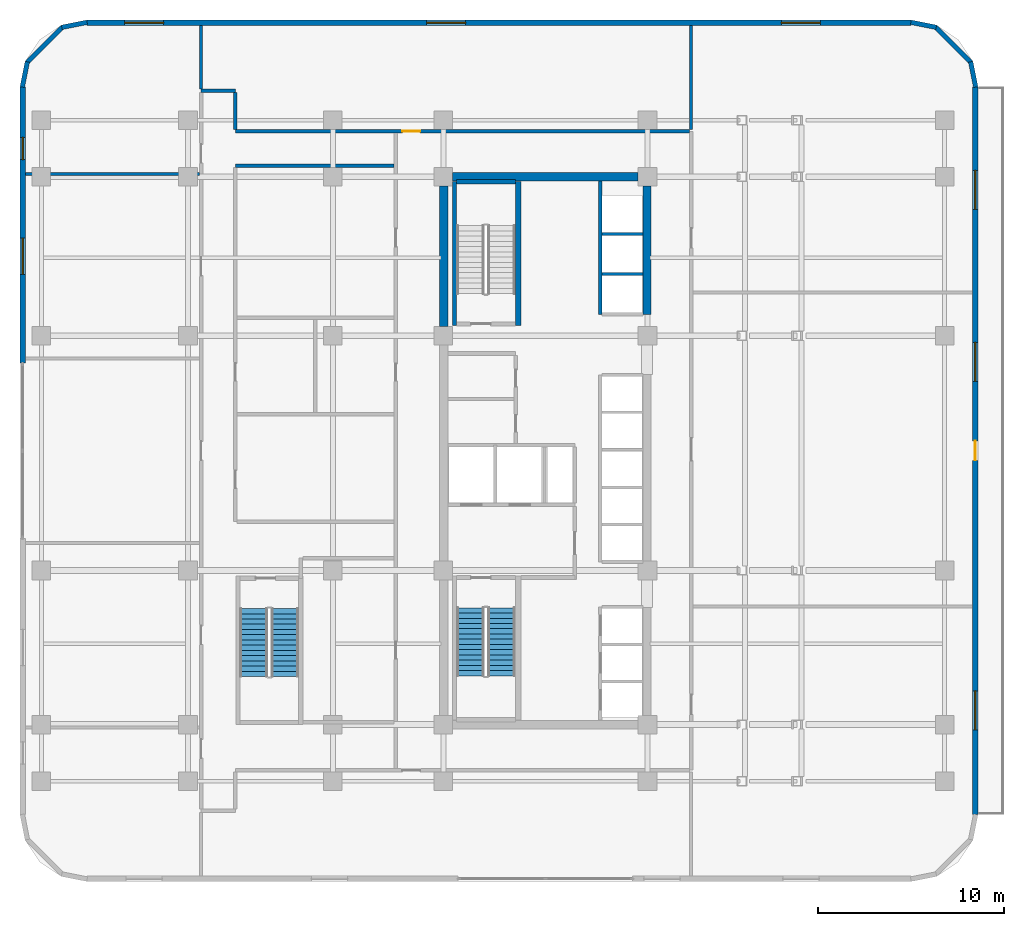
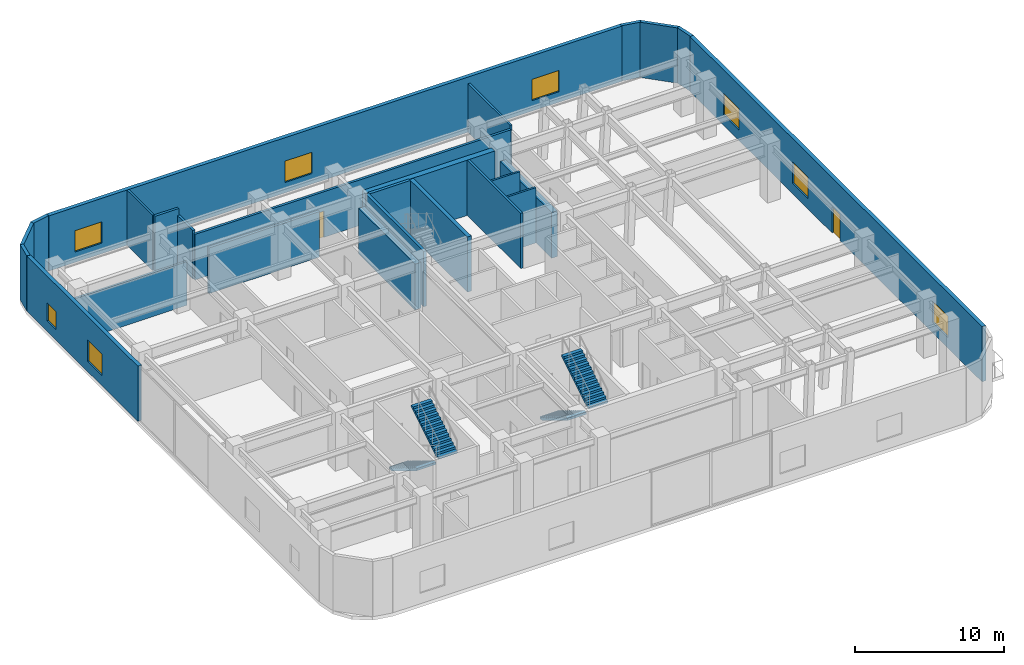
# One storey, part 8 of 12: 25 walls, 8 windows, 4 stair flights, 2 doors, 10 openings, 2 elements without a shape of their own.
"""IFC4 building model written with IfcOpenShell, lengths in metres."""

from ifc_helpers import new_model, si_unit, direction, frame, frame_2d, origin, place, context, subcontext, project, spatial, polyline, rectangle, outline, extrude, material, layer, layer_set, type_object, element, fill, aggregate, save


model = new_model("IFC4")

# Units and contexts
model_context = context("Model", 3, precision=1e-05, world=origin(), true_north=direction((0.0, 1.0)))
body_context = subcontext(model_context, "Body", "Model", "MODEL_VIEW")
ifc_project = project(units=[si_unit("LENGTHUNIT", "METRE"), si_unit("AREAUNIT", "SQUARE_METRE"), si_unit("VOLUMEUNIT", "CUBIC_METRE"), si_unit("PLANEANGLEUNIT", "RADIAN"), si_unit("MASSUNIT", "GRAM", prefix="KILO")], contexts=[model_context])

# Site, building, storey
site_placement = place(None, origin())
site = spatial("IfcSite", under=ifc_project, at=site_placement, CompositionType="ELEMENT")
building_placement = place(site_placement, origin())
building = spatial("IfcBuilding", under=site, at=building_placement, Name="Ochreholt Gables", CompositionType="ELEMENT")
storey_placement = place(building_placement, frame((0.0, 0.0, 9.60009765625)))
storey = spatial("IfcBuildingStorey", under=building, at=storey_placement, Name="L02", CompositionType="ELEMENT", Elevation=9.60009765625)

# Walls
ifc_material_1 = material(Name="Concrete 60 MPa", Category="concrete")
ifc_layer_1 = layer(ifc_material_1, 0.449951171875, Name="Concrete 60 MPa")
ifc_layer_set_1 = layer_set([ifc_layer_1], Name="Concrete 60 MPa")
wall_type_1 = type_object("IfcWallType", Name="WALL-CSW-450", PredefinedType="SHEAR", material=ifc_layer_set_1)
wall_1_placement = place(storey_placement, frame((24.22509765625, 30.699951171875, 0.0), z_axis=(0.0, 0.0, 1.0), x_axis=(0.0, 1.0, 0.0)))
element("IfcWall", 1, at=wall_1_placement, inside=storey, type_object=wall_type_1, Name="L02 Core West Shear Wall WN", PredefinedType="SHEAR", context=body_context, shape_type="SweptSolid", body=[
    extrude(rectangle(XDim=7.550048828125, YDim=0.449951171875, at=frame_2d((3.77490234375, 0.0))), origin(), (0.0, 0.0, 1.0), 3.75),
])
wall_2_placement = place(storey_placement, frame((35.175048828125, 31.35009765625, 0.0), z_axis=(0.0, 0.0, 1.0), x_axis=(0.0, 1.0, 0.0)))
element("IfcWall", 2, at=wall_2_placement, inside=storey, type_object=wall_type_1, Name="L02 Core North-East Shear Wall", PredefinedType="SHEAR", context=body_context, shape_type="SweptSolid", body=[
    extrude(rectangle(XDim=6.89990234375, YDim=0.449951171875, at=frame_2d((3.449951171875, 0.0))), origin(), (0.0, 0.0, 1.0), 3.75),
])
wall_3_placement = place(storey_placement, frame((24.699951171875, 38.75, 0.0), z_axis=(0.0, 0.0, 1.0), x_axis=(1.0, 0.0, 0.0)))
element("IfcWall", 3, at=wall_3_placement, inside=storey, type_object=wall_type_1, Name="L02 Core North Shear Wall", PredefinedType="SHEAR", context=body_context, shape_type="SweptSolid", body=[
    extrude(rectangle(XDim=10.0, YDim=0.449951171875, at=frame_2d((5.0, 0.0))), origin(), (0.0, 0.0, 1.0), 4.52001953125),
])

# Wall, openings, door, windows
ifc_material_2 = material(Name="Precast concrete 40 MPa", Category="concrete")
ifc_layer_2 = layer(ifc_material_2, 0.2900390625, Name="Precast concrete 40 MPa")
ifc_layer_set_2 = layer_set([ifc_layer_2], Name="Precast concrete 40 MPa")
wall_type_2 = type_object("IfcWallType", Name="WALL-EXT-290", PredefinedType="SOLIDWALL", material=ifc_layer_set_2)
wall_4_placement = place(storey_placement, frame((52.85498046875, 4.419921875, 0.0), z_axis=(0.0, 0.0, 1.0), x_axis=(0.0, 1.0, 0.0)))
wall_4 = element("IfcWall", 4, at=wall_4_placement, inside=storey, type_object=wall_type_2, Name="L02 East Exterior Wall", PredefinedType="SOLIDWALL", context=body_context, shape_type="SweptSolid", body=[
    extrude(rectangle(XDim=39.16015625, YDim=0.2900390625, at=frame_2d((19.580078125, 0.0))), origin(), (0.0, 0.0, 1.0), 4.52001953125),
])
opening_1_placement = place(wall_4_placement, frame((19.06005859375, 0.0, 0.0)))
opening_1 = element("IfcOpeningElement", 5, at=opening_1_placement, cuts=wall_4, Name="Opening D-TR1", PredefinedType="OPENING", context=body_context, shape_type="SweptSolid", body=[
    extrude(rectangle(XDim=1.050048828125, YDim=2.14990234375, at=frame_2d((0.52490234375, 1.074951171875))), frame((0.0, 0.155029296875, 0.0), z_axis=(0.0, -1.0, 0.0), x_axis=(1.0, 0.0, 0.0)), (0.0, 0.0, 1.0), 0.31005859375),
])
opening_2_placement = place(wall_4_placement, frame((4.547607421875, 0.0, 0.85009765625)))
opening_2 = element("IfcOpeningElement", 6, at=opening_2_placement, cuts=wall_4, Name="Opening WN-4", PredefinedType="OPENING", context=body_context, shape_type="SweptSolid", body=[
    extrude(rectangle(XDim=2.10009765625, YDim=1.75, at=frame_2d((1.050048828125, 0.875))), frame((0.0, 0.155029296875, 0.0), z_axis=(0.0, -1.0, 0.0), x_axis=(1.0, 0.0, 0.0)), (0.0, 0.0, 1.0), 0.31005859375),
])
opening_3_placement = place(wall_4_placement, frame((23.320068359375, 0.0, 0.85009765625)))
opening_3 = element("IfcOpeningElement", 7, at=opening_3_placement, cuts=wall_4, Name="Opening WN-4", PredefinedType="OPENING", context=body_context, shape_type="SweptSolid", body=[
    extrude(rectangle(XDim=2.10009765625, YDim=1.75, at=frame_2d((1.050048828125, 0.875))), frame((0.0, 0.155029296875, 0.0), z_axis=(0.0, -1.0, 0.0), x_axis=(1.0, 0.0, 0.0)), (0.0, 0.0, 1.0), 0.31005859375),
])
opening_4_placement = place(wall_4_placement, frame((32.5849609375, 0.0, 0.85009765625)))
opening_4 = element("IfcOpeningElement", 8, at=opening_4_placement, cuts=wall_4, Name="Opening WN-4", PredefinedType="OPENING", context=body_context, shape_type="SweptSolid", body=[
    extrude(rectangle(XDim=2.10009765625, YDim=1.75, at=frame_2d((1.050048828125, 0.875))), frame((0.0, 0.155029296875, 0.0), z_axis=(0.0, -1.0, 0.0), x_axis=(1.0, 0.0, 0.0)), (0.0, 0.0, 1.0), 0.31005859375),
])
ifc_material_3 = material(Name="Thermally Broken Insulated Steel and Glass Door", Category="steel")
door_type_1 = type_object("IfcDoorType", Name="DR-EXT-TER1050", OperationType="NOTDEFINED", PredefinedType="DOOR", material=ifc_material_3)
door_1_placement = place(opening_1_placement, origin())
door_1 = element("IfcDoor", 9, at=door_1_placement, inside=storey, type_object=door_type_1, Name="L02 Outdoor Terrace Access Door TR-L02-E", OperationType="SINGLE_SWING_RIGHT", OverallHeight=2.14990234375, OverallWidth=1.050048828125, PredefinedType="DOOR", context=body_context, shape_type="SweptSolid", body=[
    extrude(rectangle(XDim=1.050048828125, YDim=2.14990234375, at=frame_2d((0.52490234375, 1.074951171875))), frame((0.0, 0.02490234375, 0.0), z_axis=(0.0, -1.0, 0.0), x_axis=(1.0, 0.0, 0.0)), (0.0, 0.0, 1.0), 0.050048828125),
])
fill(opening_1, door_1)
ifc_material_4 = material(Name="Triple-Glazed Thermally Broken Aluminium Window", Category="aluminium")
window_type_1 = type_object("IfcWindowType", Name="WIN-CLN-2100", PartitioningType="SINGLE_PANEL", PredefinedType="WINDOW", material=ifc_material_4)
window_1_placement = place(opening_2_placement, origin())
window_1 = element("IfcWindow", 10, at=window_1_placement, inside=storey, type_object=window_type_1, Name="L02 Window W-EXT-E-L02-1", OverallHeight=1.75, OverallWidth=2.10009765625, PartitioningType="SINGLE_PANEL", PredefinedType="WINDOW", context=body_context, shape_type="SweptSolid", body=[
    extrude(rectangle(XDim=2.10009765625, YDim=1.75, at=frame_2d((1.050048828125, 0.875))), frame((0.0, 0.030029296875, 0.0), z_axis=(0.0, -1.0, 0.0), x_axis=(1.0, 0.0, 0.0)), (0.0, 0.0, 1.0), 0.06005859375),
])
fill(opening_2, window_1)
window_2_placement = place(opening_3_placement, origin())
window_2 = element("IfcWindow", 11, at=window_2_placement, inside=storey, type_object=window_type_1, Name="L02 Window W-EXT-E-L02-2", OverallHeight=1.75, OverallWidth=2.10009765625, PartitioningType="SINGLE_PANEL", PredefinedType="WINDOW", context=body_context, shape_type="SweptSolid", body=[
    extrude(rectangle(XDim=2.10009765625, YDim=1.75, at=frame_2d((1.050048828125, 0.875))), frame((0.0, 0.030029296875, 0.0), z_axis=(0.0, -1.0, 0.0), x_axis=(1.0, 0.0, 0.0)), (0.0, 0.0, 1.0), 0.06005859375),
])
fill(opening_3, window_2)
window_3_placement = place(opening_4_placement, origin())
window_3 = element("IfcWindow", 12, at=window_3_placement, inside=storey, type_object=window_type_1, Name="L02 Window W-EXT-E-L02-3", OverallHeight=1.75, OverallWidth=2.10009765625, PartitioningType="SINGLE_PANEL", PredefinedType="WINDOW", context=body_context, shape_type="SweptSolid", body=[
    extrude(rectangle(XDim=2.10009765625, YDim=1.75, at=frame_2d((1.050048828125, 0.875))), frame((0.0, 0.030029296875, 0.0), z_axis=(0.0, -1.0, 0.0), x_axis=(1.0, 0.0, 0.0)), (0.0, 0.0, 1.0), 0.06005859375),
])
fill(opening_4, window_3)

# Wall, openings, windows
wall_5_placement = place(storey_placement, frame((49.3798828125, 47.054931640625, 0.0), z_axis=(0.0, 0.0, 1.0), x_axis=(-1.0, 0.0, 0.0)))
wall_5 = element("IfcWall", 13, at=wall_5_placement, inside=storey, type_object=wall_type_2, Name="L02 North Exterior Wall", PredefinedType="SOLIDWALL", context=body_context, shape_type="SweptSolid", body=[
    extrude(rectangle(XDim=44.35986328125, YDim=0.2900390625, at=frame_2d((22.179931640625, 0.0))), origin(), (0.0, 0.0, 1.0), 4.52001953125),
])
opening_5_placement = place(wall_5_placement, frame((40.2451171875, 0.0, 0.85009765625)))
opening_5 = element("IfcOpeningElement", 14, at=opening_5_placement, cuts=wall_5, Name="Opening WN-4", PredefinedType="OPENING", context=body_context, shape_type="SweptSolid", body=[
    extrude(rectangle(XDim=2.10009765625, YDim=1.75, at=frame_2d((1.050048828125, 0.875))), frame((0.0, 0.155029296875, 0.0), z_axis=(0.0, -1.0, 0.0), x_axis=(1.0, 0.0, 0.0)), (0.0, 0.0, 1.0), 0.31005859375),
])
opening_6_placement = place(wall_5_placement, frame((23.97998046875, 0.0, 0.85009765625)))
opening_6 = element("IfcOpeningElement", 15, at=opening_6_placement, cuts=wall_5, Name="Opening WN-4", PredefinedType="OPENING", context=body_context, shape_type="SweptSolid", body=[
    extrude(rectangle(XDim=2.10009765625, YDim=1.75, at=frame_2d((1.050048828125, 0.875))), frame((0.0, 0.155029296875, 0.0), z_axis=(0.0, -1.0, 0.0), x_axis=(1.0, 0.0, 0.0)), (0.0, 0.0, 1.0), 0.31005859375),
])
opening_7_placement = place(wall_5_placement, frame((4.864990234375, 0.0, 0.85009765625)))
opening_7 = element("IfcOpeningElement", 16, at=opening_7_placement, cuts=wall_5, Name="Opening WN-4", PredefinedType="OPENING", context=body_context, shape_type="SweptSolid", body=[
    extrude(rectangle(XDim=2.10009765625, YDim=1.75, at=frame_2d((1.050048828125, 0.875))), frame((0.0, 0.155029296875, 0.0), z_axis=(0.0, -1.0, 0.0), x_axis=(1.0, 0.0, 0.0)), (0.0, 0.0, 1.0), 0.31005859375),
])
window_4_placement = place(opening_5_placement, origin())
window_4 = element("IfcWindow", 17, at=window_4_placement, inside=storey, type_object=window_type_1, Name="L02 Window W-EXT-N-L02-1", OverallHeight=1.75, OverallWidth=2.10009765625, PartitioningType="SINGLE_PANEL", PredefinedType="WINDOW", context=body_context, shape_type="SweptSolid", body=[
    extrude(rectangle(XDim=2.10009765625, YDim=1.75, at=frame_2d((1.050048828125, 0.875))), frame((0.0, 0.030029296875, 0.0), z_axis=(0.0, -1.0, 0.0), x_axis=(1.0, 0.0, 0.0)), (0.0, 0.0, 1.0), 0.06005859375),
])
fill(opening_5, window_4)
window_5_placement = place(opening_6_placement, origin())
window_5 = element("IfcWindow", 18, at=window_5_placement, inside=storey, type_object=window_type_1, Name="L02 Window W-EXT-N-L02-2", OverallHeight=1.75, OverallWidth=2.10009765625, PartitioningType="SINGLE_PANEL", PredefinedType="WINDOW", context=body_context, shape_type="SweptSolid", body=[
    extrude(rectangle(XDim=2.10009765625, YDim=1.75, at=frame_2d((1.050048828125, 0.875))), frame((0.0, 0.030029296875, 0.0), z_axis=(0.0, -1.0, 0.0), x_axis=(1.0, 0.0, 0.0)), (0.0, 0.0, 1.0), 0.06005859375),
])
fill(opening_6, window_5)
window_6_placement = place(opening_7_placement, origin())
window_6 = element("IfcWindow", 19, at=window_6_placement, inside=storey, type_object=window_type_1, Name="L02 Window W-EXT-N-L02-3", OverallHeight=1.75, OverallWidth=2.10009765625, PartitioningType="SINGLE_PANEL", PredefinedType="WINDOW", context=body_context, shape_type="SweptSolid", body=[
    extrude(rectangle(XDim=2.10009765625, YDim=1.75, at=frame_2d((1.050048828125, 0.875))), frame((0.0, 0.030029296875, 0.0), z_axis=(0.0, -1.0, 0.0), x_axis=(1.0, 0.0, 0.0)), (0.0, 0.0, 1.0), 0.06005859375),
])
fill(opening_7, window_6)

wall_6_placement = place(storey_placement, frame((1.544921875, 43.580078125, 0.0), z_axis=(0.0, 0.0, 1.0), x_axis=(0.0, -1.0, 0.0)))
wall_6 = element("IfcWall", 20, at=wall_6_placement, inside=storey, type_object=wall_type_2, Name="L02 West Facade Wall 1", PredefinedType="SOLIDWALL", context=body_context, shape_type="SweptSolid", body=[
    extrude(rectangle(XDim=14.86328125, YDim=0.2900390625, at=frame_2d((7.431640625, 0.0))), origin(), (0.0, 0.0, 1.0), 4.52001953125),
])
opening_8_placement = place(wall_6_placement, frame((8.1298828125, 0.0, 0.85009765625)))
opening_8 = element("IfcOpeningElement", 21, at=opening_8_placement, cuts=wall_6, Name="Opening WN-9", PredefinedType="OPENING", context=body_context, shape_type="SweptSolid", body=[
    extrude(rectangle(XDim=1.949951171875, YDim=1.75, at=frame_2d((0.97509765625, 0.875))), frame((0.0, 0.155029296875, 0.0), z_axis=(0.0, -1.0, 0.0), x_axis=(1.0, 0.0, 0.0)), (0.0, 0.0, 1.0), 0.31005859375),
])
opening_9_placement = place(wall_6_placement, frame((2.705078125, 0.0, 0.85009765625)))
opening_9 = element("IfcOpeningElement", 22, at=opening_9_placement, cuts=wall_6, Name="Opening WN-3", PredefinedType="OPENING", context=body_context, shape_type="SweptSolid", body=[
    extrude(rectangle(XDim=1.199951171875, YDim=1.5, at=frame_2d((0.60009765625, 0.75))), frame((0.0, 0.155029296875, 0.0), z_axis=(0.0, -1.0, 0.0), x_axis=(1.0, 0.0, 0.0)), (0.0, 0.0, 1.0), 0.31005859375),
])
window_type_2 = type_object("IfcWindowType", Name="WIN-CLN-1950", PartitioningType="SINGLE_PANEL", PredefinedType="WINDOW", material=ifc_material_4)
window_7_placement = place(opening_8_placement, origin())
window_7 = element("IfcWindow", 23, at=window_7_placement, inside=storey, type_object=window_type_2, Name="L02 Window W-EXT-W1-L02-1", OverallHeight=1.75, OverallWidth=1.949951171875, PartitioningType="SINGLE_PANEL", PredefinedType="WINDOW", context=body_context, shape_type="SweptSolid", body=[
    extrude(rectangle(XDim=1.949951171875, YDim=1.75, at=frame_2d((0.97509765625, 0.875))), frame((0.0, 0.030029296875, 0.0), z_axis=(0.0, -1.0, 0.0), x_axis=(1.0, 0.0, 0.0)), (0.0, 0.0, 1.0), 0.06005859375),
])
fill(opening_8, window_7)
window_type_3 = type_object("IfcWindowType", Name="WIN-RES-1200", PartitioningType="SINGLE_PANEL", PredefinedType="WINDOW", material=ifc_material_4)
window_8_placement = place(opening_9_placement, origin())
window_8 = element("IfcWindow", 24, at=window_8_placement, inside=storey, type_object=window_type_3, Name="L02 Window W-EXT-W1-L02-2", OverallHeight=1.5, OverallWidth=1.199951171875, PartitioningType="SINGLE_PANEL", PredefinedType="WINDOW", context=body_context, shape_type="SweptSolid", body=[
    extrude(rectangle(XDim=1.199951171875, YDim=1.5, at=frame_2d((0.60009765625, 0.75))), frame((0.0, 0.030029296875, 0.0), z_axis=(0.0, -1.0, 0.0), x_axis=(1.0, 0.0, 0.0)), (0.0, 0.0, 1.0), 0.06005859375),
])
fill(opening_9, window_8)

# Walls
ifc_layer_3 = layer(ifc_material_2, 0.25, Name="Precast concrete 40 MPa")
ifc_layer_set_3 = layer_set([ifc_layer_3], Name="Precast concrete 40 MPa")
wall_type_3 = type_object("IfcWallType", Name="WALL-EXT-CNR", PredefinedType="SOLIDWALL", material=ifc_layer_set_3)
wall_7_placement = place(storey_placement, frame((52.875732421875, 43.58349609375, 0.0), z_axis=(0.0, 0.0, 1.0), x_axis=(-0.19496651342, 0.980809899341, 0.0)))
element("IfcWall", 25, at=wall_7_placement, inside=storey, type_object=wall_type_3, Name="L02 Rounded Corner Wall NE-1", PredefinedType="SOLIDWALL", context=body_context, shape_type="SweptSolid", body=[
    extrude(rectangle(XDim=1.388671875, YDim=0.25, at=frame_2d((0.6943359375, 0.0))), origin(), (0.0, 0.0, 1.0), 4.52001953125),
])
wall_8_placement = place(storey_placement, frame((52.632080078125, 44.89501953125, 0.0), z_axis=(0.0, 0.0, 1.0), x_axis=(-0.707106781187, 0.707106781187, 0.0)))
element("IfcWall", 26, at=wall_8_placement, inside=storey, type_object=wall_type_3, Name="L02 Rounded Corner Wall NE-2", PredefinedType="SOLIDWALL", context=body_context, shape_type="SweptSolid", body=[
    extrude(rectangle(XDim=2.7392578125, YDim=0.25, at=frame_2d((1.36962890625, 0.0))), origin(), (0.0, 0.0, 1.0), 4.52001953125),
])
for number, where, z_axis, x_axis, name in (
    (27, (50.74560546875, 46.804931640625, 0.0), (0.0, 0.0, 1.0), (-0.980809899341, 0.19496651342, 0.0), "L02 Rounded Corner Wall NE-3"),
    (28, (5.0166015625, 47.07568359375, 0.0), (0.0, 0.0, 1.0), (-0.980809899341, -0.19496651342, 0.0), "L02 Rounded Corner Wall NW-1"),
):
    element("IfcWall", number, at=place(storey_placement, frame(where, z_axis=z_axis, x_axis=x_axis)), inside=storey, type_object=wall_type_3, Name=name, PredefinedType="SOLIDWALL", context=body_context, shape_type="SweptSolid", body=[
        extrude(rectangle(XDim=1.388671875, YDim=0.25, at=frame_2d((0.6943359375, 0.0))), origin(), (0.0, 0.0, 1.0), 4.52001953125),
    ])
wall_9_placement = place(storey_placement, frame((3.705078125, 46.83203125, 0.0), z_axis=(0.0, 0.0, 1.0), x_axis=(-0.707106781187, -0.707106781187, 0.0)))
element("IfcWall", 29, at=wall_9_placement, inside=storey, type_object=wall_type_3, Name="L02 Rounded Corner Wall NW-2", PredefinedType="SOLIDWALL", context=body_context, shape_type="SweptSolid", body=[
    extrude(rectangle(XDim=2.7392578125, YDim=0.25, at=frame_2d((1.36962890625, 0.0))), origin(), (0.0, 0.0, 1.0), 4.52001953125),
])
wall_10_placement = place(storey_placement, frame((1.794921875, 44.945556640625, 0.0), z_axis=(0.0, 0.0, 1.0), x_axis=(-0.19496651342, -0.980809899341, 0.0)))
element("IfcWall", 30, at=wall_10_placement, inside=storey, type_object=wall_type_3, Name="L02 Rounded Corner Wall NW-3", PredefinedType="SOLIDWALL", context=body_context, shape_type="SweptSolid", body=[
    extrude(rectangle(XDim=1.388671875, YDim=0.25, at=frame_2d((0.6943359375, 0.0))), origin(), (0.0, 0.0, 1.0), 4.52001953125),
])

# Wall, opening, door
ifc_material_5 = material(Name="Fire-Rated Gypsum Acoustic Partition", Category="gypsum")
ifc_layer_4 = layer(ifc_material_5, 0.18994140625, Name="Fire-Rated Gypsum Acoustic Partition")
ifc_layer_set_4 = layer_set([ifc_layer_4], Name="Fire-Rated Gypsum Acoustic Partition")
wall_type_4 = type_object("IfcWallType", Name="WALL-INT-CR190", PredefinedType="STANDARD", material=ifc_layer_set_4)
wall_11_placement = place(storey_placement, frame((13.0, 41.199951171875, 0.0), z_axis=(0.0, 0.0, 1.0), x_axis=(1.0, 0.0, 0.0)))
wall_11 = element("IfcWall", 31, at=wall_11_placement, inside=storey, type_object=wall_type_4, Name="L02 Interior Wall WI-CLCN-L02", PredefinedType="STANDARD", context=body_context, shape_type="SweptSolid", body=[
    extrude(rectangle(XDim=24.455078125, YDim=0.18994140625, at=frame_2d((12.2275390625, 0.0))), origin(), (0.0, 0.0, 1.0), 3.73193359375),
])
opening_10_placement = place(wall_11_placement, frame((9.0, 0.0, 0.0)))
opening_10 = element("IfcOpeningElement", 32, at=opening_10_placement, cuts=wall_11, Name="Opening D-GN1", PredefinedType="OPENING", context=body_context, shape_type="SweptSolid", body=[
    extrude(rectangle(XDim=0.949951171875, YDim=2.14990234375, at=frame_2d((0.47509765625, 1.074951171875))), frame((0.0, 0.10498046875, 0.0), z_axis=(0.0, -1.0, 0.0), x_axis=(1.0, 0.0, 0.0)), (0.0, 0.0, 1.0), 0.2099609375),
])
ifc_material_6 = material(Name="Engineered Oak Timber", Category="wood")
door_type_2 = type_object("IfcDoorType", Name="DR-INT-GEN950", OperationType="NOTDEFINED", PredefinedType="DOOR", material=ifc_material_6)
door_2_placement = place(opening_10_placement, origin())
door_2 = element("IfcDoor", 33, at=door_2_placement, inside=storey, type_object=door_type_2, Name="L02 Door D-CLCN-L02", OperationType="SINGLE_SWING_RIGHT", OverallHeight=2.14990234375, OverallWidth=0.949951171875, PredefinedType="DOOR", context=body_context, shape_type="SweptSolid", body=[
    extrude(rectangle(XDim=0.949951171875, YDim=2.14990234375, at=frame_2d((0.47509765625, 1.074951171875))), frame((0.0, 0.02490234375, 0.0), z_axis=(0.0, -1.0, 0.0), x_axis=(1.0, 0.0, 0.0)), (0.0, 0.0, 1.0), 0.050048828125),
])
fill(opening_10, door_2)

# Walls
wall_12_placement = place(storey_placement, frame((11.14990234375, 43.39990234375, 0.0), z_axis=(0.0, 0.0, 1.0), x_axis=(1.0, 0.0, 0.0)))
element("IfcWall", 34, at=wall_12_placement, inside=storey, type_object=wall_type_4, Name="L02 Interior Wall WI-CLCN0-L02", PredefinedType="STANDARD", context=body_context, shape_type="SweptSolid", body=[
    extrude(rectangle(XDim=1.85009765625, YDim=0.18994140625, at=frame_2d((0.925048828125, 0.0))), origin(), (0.0, 0.0, 1.0), 4.52001953125),
])
wall_13_placement = place(storey_placement, frame((13.0, 41.294921875, 0.0), z_axis=(0.0, 0.0, 1.0), x_axis=(0.0, 1.0, 0.0)))
element("IfcWall", 35, at=wall_13_placement, inside=storey, type_object=wall_type_4, Name="L02 Interior Wall WI-CLCN1-L02", PredefinedType="STANDARD", context=body_context, shape_type="SweptSolid", body=[
    extrude(rectangle(XDim=2.010009765625, YDim=0.18994140625, at=frame_2d((1.0048828125, 0.0))), origin(), (0.0, 0.0, 1.0), 3.968994140625),
])
wall_14_placement = place(storey_placement, frame((13.0, 39.35009765625, 0.0), z_axis=(0.0, 0.0, 1.0), x_axis=(1.0, 0.0, 0.0)))
element("IfcWall", 36, at=wall_14_placement, inside=storey, type_object=wall_type_4, Name="L02 Interior Wall WI-CLCN2-L02", PredefinedType="STANDARD", context=body_context, shape_type="SweptSolid", body=[
    extrude(rectangle(XDim=8.554931640625, YDim=0.18994140625, at=frame_2d((4.27734375, 0.0))), origin(), (0.0, 0.0, 1.0), 3.73193359375),
])
ifc_material_7 = material(Name="Gypsum Acoustic Stud Partition", Category="gypsum")
ifc_layer_5 = layer(ifc_material_7, 0.159912109375, Name="Gypsum Acoustic Stud Partition")
ifc_layer_set_5 = layer_set([ifc_layer_5], Name="Gypsum Acoustic Stud Partition")
wall_type_5 = type_object("IfcWallType", Name="WALL-INT-PT160", PredefinedType="PARTITIONING", material=ifc_layer_set_5)
wall_15_placement = place(storey_placement, frame((11.14990234375, 43.4951171875, 0.0), z_axis=(0.0, 0.0, 1.0), x_axis=(0.0, 1.0, 0.0)))
element("IfcWall", 37, at=wall_15_placement, inside=storey, type_object=wall_type_5, Name="L02 Interior Wall WI-CLWWN-L02", PredefinedType="PARTITIONING", context=body_context, shape_type="SweptSolid", body=[
    extrude(rectangle(XDim=3.414794921875, YDim=0.159912109375, at=frame_2d((1.70751953125, 0.0))), origin(), (0.0, 0.0, 1.0), 4.52001953125),
])
wall_16_placement = place(storey_placement, frame((37.550048828125, 41.294921875, 0.0), z_axis=(0.0, 0.0, 1.0), x_axis=(0.0, 1.0, 0.0)))
element("IfcWall", 38, at=wall_16_placement, inside=storey, type_object=wall_type_5, Name="L02 Interior Wall WI-CLCEN-L02", PredefinedType="PARTITIONING", context=body_context, shape_type="SweptSolid", body=[
    extrude(rectangle(XDim=5.614990234375, YDim=0.159912109375, at=frame_2d((2.8076171875, 0.0))), origin(), (0.0, 0.0, 1.0), 3.968994140625),
])
wall_17_placement = place(storey_placement, frame((1.68994140625, 38.89990234375, 0.0), z_axis=(0.0, 0.0, 1.0), x_axis=(1.0, 0.0, 0.0)))
element("IfcWall", 39, at=wall_17_placement, inside=storey, type_object=wall_type_5, Name="L02 Interior Wall WI-CLW4-L02", PredefinedType="PARTITIONING", context=body_context, shape_type="SweptSolid", body=[
    extrude(rectangle(XDim=9.364990234375, YDim=0.159912109375, at=frame_2d((4.6826171875, 0.0))), origin(), (0.0, 0.0, 1.0), 3.574951171875),
])
ifc_material_8 = material(Name="Gypsum Shaftliner and Steel Stud", Category="steel")
ifc_layer_6 = layer(ifc_material_8, 0.14990234375, Name="Gypsum Shaftliner and Steel Stud")
ifc_layer_set_6 = layer_set([ifc_layer_6], Name="Gypsum Shaftliner and Steel Stud")
wall_type_6 = type_object("IfcWallType", Name="WALL-INT-SH150", PredefinedType="STANDARD", material=ifc_layer_set_6)
for number, where, z_axis, x_axis, name in (
    (40, (32.739990234375, 33.52001953125, 0.0), (0.0, 0.0, 1.0), (1.0, 0.0, 0.0), "L02 Interior Wall WI-LFM-D1-L02"),
    (41, (32.739990234375, 35.669921875, 0.0), (0.0, 0.0, 1.0), (1.0, 0.0, 0.0), "L02 Interior Wall WI-LFM-D2-L02"),
):
    element("IfcWall", number, at=place(storey_placement, frame(where, z_axis=z_axis, x_axis=x_axis)), inside=storey, type_object=wall_type_6, Name=name, PredefinedType="STANDARD", context=body_context, shape_type="SweptSolid", body=[
        extrude(rectangle(XDim=2.2099609375, YDim=0.14990234375, at=frame_2d((1.10498046875, 0.0))), origin(), (0.0, 0.0, 1.0), 4.52001953125),
    ])
ifc_layer_7 = layer(ifc_material_8, 0.179931640625, Name="Gypsum Shaftliner and Steel Stud")
ifc_layer_set_7 = layer_set([ifc_layer_7], Name="Gypsum Shaftliner and Steel Stud")
wall_type_7 = type_object("IfcWallType", Name="WALL-INT-SH180", PredefinedType="STANDARD", material=ifc_layer_set_7)
wall_18_placement = place(storey_placement, frame((32.64990234375, 31.35009765625, 0.0), z_axis=(0.0, 0.0, 1.0), x_axis=(0.0, 1.0, 0.0)))
element("IfcWall", 42, at=wall_18_placement, inside=storey, type_object=wall_type_7, Name="L02 Interior Wall WI-LFM-FR-L02", PredefinedType="STANDARD", context=body_context, shape_type="SweptSolid", body=[
    extrude(rectangle(XDim=7.1748046875, YDim=0.179931640625, at=frame_2d((3.58740234375, 0.0))), origin(), (0.0, 0.0, 1.0), 4.52001953125),
])
ifc_layer_8 = layer(ifc_material_1, 0.300048828125, Name="Concrete 60 MPa")
ifc_layer_set_8 = layer_set([ifc_layer_8], Name="Concrete 60 MPa")
wall_type_8 = type_object("IfcWallType", Name="WALL-SPN-300", PredefinedType="SHEAR", material=ifc_layer_set_8)
wall_19_placement = place(storey_placement, frame((28.22998046875, 30.739990234375, 0.0), z_axis=(0.0, 0.0, 1.0), x_axis=(0.0, 1.0, 0.0)))
element("IfcWall", 43, at=wall_19_placement, inside=storey, type_object=wall_type_8, Name="L02 Core North Spine Shear Wall", PredefinedType="SHEAR", context=body_context, shape_type="SweptSolid", body=[
    extrude(rectangle(XDim=7.760009765625, YDim=0.300048828125, at=frame_2d((3.8798828125, 0.0))), origin(), (0.0, 0.0, 1.0), 4.52001953125),
])
ifc_material_9 = material(Name="Concrete 50 MPa", Category="concrete")
ifc_layer_9 = layer(ifc_material_9, 0.219970703125, Name="Concrete 50 MPa")
ifc_layer_set_9 = layer_set([ifc_layer_9], Name="Concrete 50 MPa")
wall_type_9 = type_object("IfcWallType", Name="WALL-STW-220", PredefinedType="SHEAR", material=ifc_layer_set_9)
wall_20_placement = place(storey_placement, frame((24.81005859375, 30.739990234375, 0.0), z_axis=(0.0, 0.0, 1.0), x_axis=(0.0, 1.0, 0.0)))
element("IfcWall", 44, at=wall_20_placement, inside=storey, type_object=wall_type_9, Name="L02 Exit Stair 2 West Wall", PredefinedType="SHEAR", context=body_context, shape_type="SweptSolid", body=[
    extrude(rectangle(XDim=7.760009765625, YDim=0.219970703125, at=frame_2d((3.8798828125, 0.0))), origin(), (0.0, 0.0, 1.0), 4.52001953125),
])
wall_21_placement = place(storey_placement, frame((24.919921875, 38.489990234375, 0.0), z_axis=(0.0, 0.0, 1.0), x_axis=(1.0, 0.0, 0.0)))
element("IfcWall", 45, at=wall_21_placement, inside=storey, type_object=wall_type_9, Name="L02 Exit Stair 2 North Wall", PredefinedType="SHEAR", context=body_context, shape_type="SweptSolid", body=[
    extrude(rectangle(XDim=3.16015625, YDim=0.219970703125, at=frame_2d((1.580078125, 0.0))), origin(), (0.0, 0.0, 1.0), 4.52001953125),
])

# Stair, stair flights
ifc_material_10 = material(Name="Concrete 40 MPa", Category="concrete")
stair_type_1 = type_object("IfcStairType", Name="STAIR-CORE-ST-1", PredefinedType="HALF_TURN_STAIR", material=ifc_material_10)
stair_1_placement = place(storey_placement, origin())
stair_1 = element("IfcStair", 46, at=stair_1_placement, inside=storey, type_object=stair_type_1, Name="L02 Core Exit Stair 1", PredefinedType="HALF_TURN_STAIR")
stair_flight_type = type_object("IfcStairFlightType", Name="FLIGHT-ST-1480-1714", PredefinedType="STRAIGHT", material=ifc_material_10)
stair_flight_1_placement = place(storey_placement, frame((25.659912109375, 15.5400390625, 0.0), z_axis=(0.0, 0.0, 1.0), x_axis=(0.0, -1.0, 0.0)))
stair_flight_1 = element("IfcStairFlight", 47, at=stair_flight_1_placement, type_object=stair_flight_type, Name="ST-1 flight 1", NumberOfRisers=14, NumberOfTreads=13, PredefinedType="STRAIGHT", RiserHeight=0.171428571, TreadLength=0.282, context=body_context, shape_type="SweptSolid", body=[
    extrude(outline(polyline([(0.0, 0.0), (0.0, 0.17138671875), (0.281982421875, 0.17138671875), (0.281982421875, 0.3427734375), (0.56396484375, 0.3427734375), (0.56396484375, 0.514404296875), (0.845947265625, 0.514404296875), (0.845947265625, 0.685791015625), (1.1279296875, 0.685791015625), (1.1279296875, 0.857177734375), (1.409912109375, 0.857177734375), (1.409912109375, 1.028564453125), (1.69189453125, 1.028564453125), (1.69189453125, 1.199951171875), (1.97412109375, 1.199951171875), (1.97412109375, 1.371337890625), (2.256103515625, 1.371337890625), (2.256103515625, 1.54296875), (2.5380859375, 1.54296875), (2.5380859375, 1.71435546875), (2.820068359375, 1.71435546875), (2.820068359375, 1.8857421875), (3.10205078125, 1.8857421875), (3.10205078125, 2.05712890625), (3.384033203125, 2.05712890625), (3.384033203125, 2.228515625), (3.666015625, 2.228515625), (3.666015625, 2.39990234375), (3.666015625, 2.05322265625), (0.28857421875, 0.0), (0.0, 0.0)])), frame((0.0, 0.739990234375, 0.0), z_axis=(0.0, -1.0, 0.0), x_axis=(1.0, 0.0, 0.0)), (0.0, 0.0, 1.0), 1.47998046875),
])
stair_flight_2_placement = place(storey_placement, frame((27.340087890625, 11.8740234375, 2.39990234375), z_axis=(0.0, 0.0, 1.0), x_axis=(0.0, 1.0, 0.0)))
stair_flight_2 = element("IfcStairFlight", 48, at=stair_flight_2_placement, type_object=stair_flight_type, Name="ST-1 flight 2", NumberOfRisers=14, NumberOfTreads=13, PredefinedType="STRAIGHT", RiserHeight=0.171428571, TreadLength=0.282, context=body_context, shape_type="SweptSolid", body=[
    extrude(outline(polyline([(0.0, 0.0), (0.0, 0.17138671875), (0.281982421875, 0.17138671875), (0.281982421875, 0.3427734375), (0.56396484375, 0.3427734375), (0.56396484375, 0.514404296875), (0.845947265625, 0.514404296875), (0.845947265625, 0.685791015625), (1.1279296875, 0.685791015625), (1.1279296875, 0.857177734375), (1.409912109375, 0.857177734375), (1.409912109375, 1.028564453125), (1.69189453125, 1.028564453125), (1.69189453125, 1.199951171875), (1.97412109375, 1.199951171875), (1.97412109375, 1.371337890625), (2.256103515625, 1.371337890625), (2.256103515625, 1.54296875), (2.5380859375, 1.54296875), (2.5380859375, 1.71435546875), (2.820068359375, 1.71435546875), (2.820068359375, 1.8857421875), (3.10205078125, 1.8857421875), (3.10205078125, 2.05712890625), (3.384033203125, 2.05712890625), (3.384033203125, 2.228515625), (3.666015625, 2.228515625), (3.666015625, 2.39990234375), (3.666015625, 2.05322265625), (0.28857421875, 0.0), (0.0, 0.0)])), frame((0.0, 0.739990234375, 0.0), z_axis=(0.0, -1.0, 0.0), x_axis=(1.0, 0.0, 0.0)), (0.0, 0.0, 1.0), 1.47998046875),
])
aggregate(stair_1, [stair_flight_1, stair_flight_2])

stair_type_2 = type_object("IfcStairType", Name="STAIR-CORE-ST-P1", PredefinedType="HALF_TURN_STAIR", material=ifc_material_10)
stair_2_placement = place(storey_placement, origin())
stair_2 = element("IfcStair", 49, at=stair_2_placement, inside=storey, type_object=stair_type_2, Name="L02 Podium Exit Stair 3", PredefinedType="HALF_TURN_STAIR")
stair_flight_3_placement = place(storey_placement, frame((13.989990234375, 15.5, 0.0), z_axis=(0.0, 0.0, 1.0), x_axis=(0.0, -1.0, 0.0)))
stair_flight_3 = element("IfcStairFlight", 50, at=stair_flight_3_placement, type_object=stair_flight_type, Name="ST-P1 flight 1", NumberOfRisers=14, NumberOfTreads=13, PredefinedType="STRAIGHT", RiserHeight=0.171428571, TreadLength=0.282, context=body_context, shape_type="SweptSolid", body=[
    extrude(outline(polyline([(0.0, 0.0), (0.0, 0.17138671875), (0.281982421875, 0.17138671875), (0.281982421875, 0.3427734375), (0.56396484375, 0.3427734375), (0.56396484375, 0.514404296875), (0.845947265625, 0.514404296875), (0.845947265625, 0.685791015625), (1.1279296875, 0.685791015625), (1.1279296875, 0.857177734375), (1.409912109375, 0.857177734375), (1.409912109375, 1.028564453125), (1.69189453125, 1.028564453125), (1.69189453125, 1.199951171875), (1.97412109375, 1.199951171875), (1.97412109375, 1.371337890625), (2.256103515625, 1.371337890625), (2.256103515625, 1.54296875), (2.5380859375, 1.54296875), (2.5380859375, 1.71435546875), (2.820068359375, 1.71435546875), (2.820068359375, 1.8857421875), (3.10205078125, 1.8857421875), (3.10205078125, 2.05712890625), (3.384033203125, 2.05712890625), (3.384033203125, 2.228515625), (3.666015625, 2.228515625), (3.666015625, 2.39990234375), (3.666015625, 2.05322265625), (0.28857421875, 0.0), (0.0, 0.0)])), frame((0.0, 0.739990234375, 0.0), z_axis=(0.0, -1.0, 0.0), x_axis=(1.0, 0.0, 0.0)), (0.0, 0.0, 1.0), 1.47998046875),
])
stair_flight_4_placement = place(storey_placement, frame((15.669921875, 11.833984375, 2.39990234375), z_axis=(0.0, 0.0, 1.0), x_axis=(0.0, 1.0, 0.0)))
stair_flight_4 = element("IfcStairFlight", 51, at=stair_flight_4_placement, type_object=stair_flight_type, Name="ST-P1 flight 2", NumberOfRisers=14, NumberOfTreads=13, PredefinedType="STRAIGHT", RiserHeight=0.171428571, TreadLength=0.282, context=body_context, shape_type="SweptSolid", body=[
    extrude(outline(polyline([(0.0, 0.0), (0.0, 0.17138671875), (0.281982421875, 0.17138671875), (0.281982421875, 0.3427734375), (0.56396484375, 0.3427734375), (0.56396484375, 0.514404296875), (0.845947265625, 0.514404296875), (0.845947265625, 0.685791015625), (1.1279296875, 0.685791015625), (1.1279296875, 0.857177734375), (1.409912109375, 0.857177734375), (1.409912109375, 1.028564453125), (1.69189453125, 1.028564453125), (1.69189453125, 1.199951171875), (1.97412109375, 1.199951171875), (1.97412109375, 1.371337890625), (2.256103515625, 1.371337890625), (2.256103515625, 1.54296875), (2.5380859375, 1.54296875), (2.5380859375, 1.71435546875), (2.820068359375, 1.71435546875), (2.820068359375, 1.8857421875), (3.10205078125, 1.8857421875), (3.10205078125, 2.05712890625), (3.384033203125, 2.05712890625), (3.384033203125, 2.228515625), (3.666015625, 2.228515625), (3.666015625, 2.39990234375), (3.666015625, 2.05322265625), (0.28857421875, 0.0), (0.0, 0.0)])), frame((0.0, 0.739990234375, 0.0), z_axis=(0.0, -1.0, 0.0), x_axis=(1.0, 0.0, 0.0)), (0.0, 0.0, 1.0), 1.47998046875),
])
aggregate(stair_2, [stair_flight_3, stair_flight_4])

save(model, "model.ifc")
